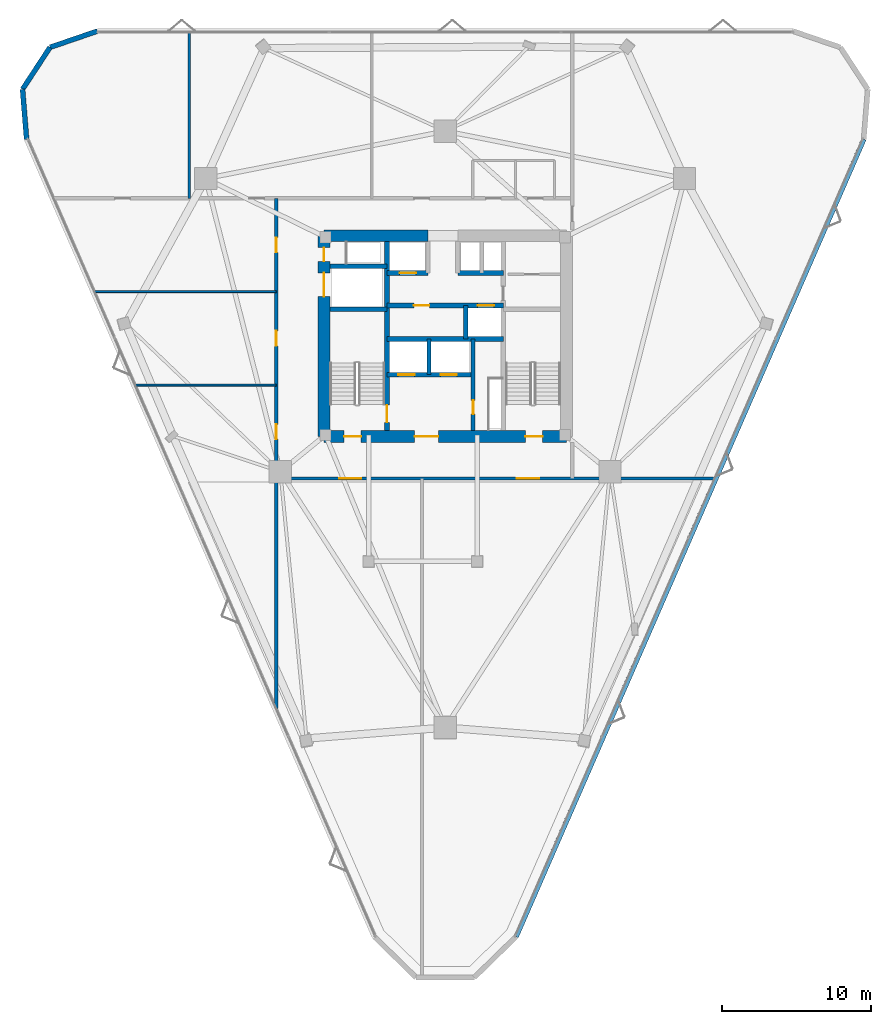
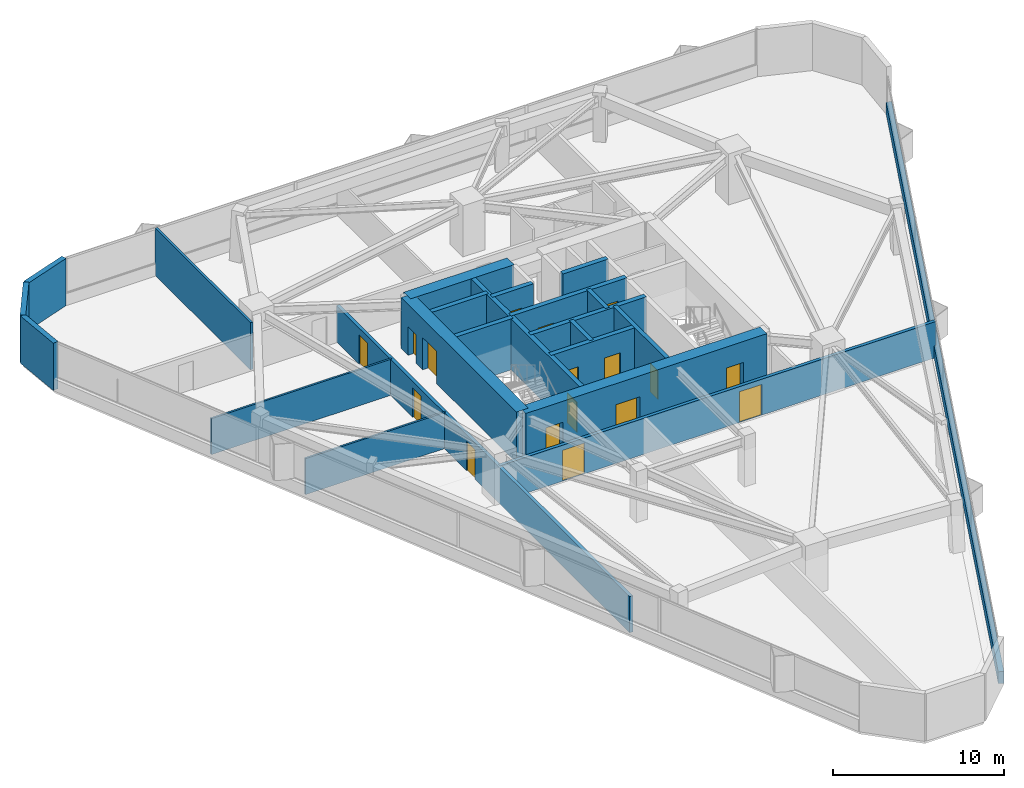
# One storey, part 10 of 13: 23 walls, 17 doors, 17 openings.
"""IFC4 building model written with IfcOpenShell, lengths in metres."""

from ifc_helpers import new_model, si_unit, direction, frame, frame_2d, origin, place, context, subcontext, project, spatial, rectangle, extrude, material, layer, layer_set, type_object, element, fill, save


model = new_model("IFC4")

# Units and contexts
model_context = context("Model", 3, precision=1e-05, world=origin(), true_north=direction((0.0, 1.0)))
body_context = subcontext(model_context, "Body", "Model", "MODEL_VIEW")
ifc_project = project(units=[si_unit("LENGTHUNIT", "METRE"), si_unit("AREAUNIT", "SQUARE_METRE"), si_unit("VOLUMEUNIT", "CUBIC_METRE"), si_unit("PLANEANGLEUNIT", "RADIAN"), si_unit("MASSUNIT", "GRAM", prefix="KILO")], contexts=[model_context])

# Site, building, storey
site_placement = place(None, origin())
site = spatial("IfcSite", under=ifc_project, at=site_placement, CompositionType="ELEMENT")
building_placement = place(site_placement, origin())
building = spatial("IfcBuilding", under=site, at=building_placement, Name="Talyreon Biosciences Tower", CompositionType="ELEMENT")
storey_placement = place(building_placement, frame((0.0, 0.0, 145.449951171875)))
storey = spatial("IfcBuildingStorey", under=building, at=storey_placement, Name="L38", CompositionType="ELEMENT", Elevation=145.449951171875)

# Wall
ifc_material_1 = material(Name="Concrete C50/60", Category="concrete")
ifc_layer_1 = layer(ifc_material_1, 0.280029296875)
ifc_layer_set_1 = layer_set([ifc_layer_1], Name="Concrete C50/60")
wall_type_1 = type_object("IfcWallType", Name="CoreShearWall_280", PredefinedType="SHEAR", material=ifc_layer_set_1)
wall_1_placement = place(storey_placement, frame((64.919921875, 65.39990234375, 0.0), z_axis=(0.0, 0.0, 1.0), x_axis=(0.0, 1.0, 0.0)))
element("IfcWall", 1, at=wall_1_placement, inside=storey, type_object=wall_type_1, Name="L38 Core Shaft Wall SWSHD1", PredefinedType="SHEAR", context=body_context, shape_type="SweptSolid", body=[
    extrude(rectangle(XDim=2.400146484375, YDim=0.280029296875, at=frame_2d((1.2001953125, 0.0))), origin(), (0.0, 0.0, 1.0), 3.650146484375),
])

# Wall, opening, door
wall_2_placement = place(storey_placement, frame((67.8798828125, 61.64990234375, 0.0), z_axis=(0.0, 0.0, 1.0), x_axis=(0.0, 1.0, 0.0)))
wall_2 = element("IfcWall", 2, at=wall_2_placement, inside=storey, type_object=wall_type_1, Name="L38 Core Shaft Wall SWFFE", PredefinedType="SHEAR", context=body_context, shape_type="SweptSolid", body=[
    extrude(rectangle(XDim=6.150146484375, YDim=0.280029296875, at=frame_2d((3.0751953125, 0.0))), origin(), (0.0, 0.0, 1.0), 3.650146484375),
])
opening_1_placement = place(wall_2_placement, frame((1.10009765625, 0.0, 0.0)))
opening_1 = element("IfcOpeningElement", 3, at=opening_1_placement, cuts=wall_2, Name="Opening DR-L38-RSE", PredefinedType="OPENING", context=body_context, shape_type="SweptSolid", body=[
    extrude(rectangle(XDim=0.919921875, YDim=2.050048828125, at=frame_2d((0.4599609375, 1.02490234375))), frame((0.0, 0.14990234375, 0.0), z_axis=(0.0, -1.0, 0.0), x_axis=(1.0, 0.0, 0.0)), (0.0, 0.0, 1.0), 0.300048828125),
])
ifc_material_2 = material(Name="Painted steel fire-rated riser door", Category="steel")
door_type_1 = type_object("IfcDoorType", Name="RiserPlantAccessDoor_920x2050", OperationType="NOTDEFINED", PredefinedType="DOOR", material=ifc_material_2)
door_1_placement = place(opening_1_placement, origin())
door_1 = element("IfcDoor", 4, at=door_1_placement, inside=storey, type_object=door_type_1, Name="L38 Core Door DR-L38-RSE", OperationType="SINGLE_SWING_RIGHT", OverallHeight=2.050048828125, OverallWidth=0.919921875, PredefinedType="DOOR", context=body_context, shape_type="SweptSolid", body=[
    extrude(rectangle(XDim=0.919921875, YDim=2.050048828125, at=frame_2d((0.4599609375, 1.02490234375))), frame((0.0, 0.02490234375, 0.0), z_axis=(0.0, -1.0, 0.0), x_axis=(1.0, 0.0, 0.0)), (0.0, 0.0, 1.0), 0.050048828125),
])
fill(opening_1, door_1)

# Wall
wall_3_placement = place(storey_placement, frame((67.3798828125, 67.800048828125, 0.0), z_axis=(0.0, 0.0, 1.0), x_axis=(0.0, 1.0, 0.0)))
element("IfcWall", 5, at=wall_3_placement, inside=storey, type_object=wall_type_1, Name="L38 Core Shaft Wall SWPMD", PredefinedType="SHEAR", context=body_context, shape_type="SweptSolid", body=[
    extrude(rectangle(XDim=2.25, YDim=0.280029296875, at=frame_2d((1.125, 0.0))), origin(), (0.0, 0.0, 1.0), 3.650146484375),
])

# Wall, opening, door
ifc_layer_2 = layer(ifc_material_1, 0.320068359375)
ifc_layer_set_2 = layer_set([ifc_layer_2], Name="Concrete C50/60")
wall_type_2 = type_object("IfcWallType", Name="CoreShearWall_320", PredefinedType="SHEAR", material=ifc_layer_set_2)
wall_4_placement = place(storey_placement, frame((62.090087890625, 61.64990234375, 0.0), z_axis=(0.0, 0.0, 1.0), x_axis=(0.0, 1.0, 0.0)))
wall_4 = element("IfcWall", 6, at=wall_4_placement, inside=storey, type_object=wall_type_2, Name="L38 Core Shaft Wall SW1E", PredefinedType="SHEAR", context=body_context, shape_type="SweptSolid", body=[
    extrude(rectangle(XDim=12.7001953125, YDim=0.320068359375, at=frame_2d((6.35009765625, 0.0))), origin(), (0.0, 0.0, 1.0), 3.650146484375),
])
opening_2_placement = place(wall_4_placement, frame((0.550048828125, 0.0, 0.0)))
opening_2 = element("IfcOpeningElement", 7, at=opening_2_placement, cuts=wall_4, Name="Opening DR-L38-FF-ST1", PredefinedType="OPENING", context=body_context, shape_type="SweptSolid", body=[
    extrude(rectangle(XDim=1.14990234375, YDim=2.14990234375, at=frame_2d((0.574951171875, 1.074951171875))), frame((0.0, 0.169921875, 0.0), z_axis=(0.0, -1.0, 0.0), x_axis=(1.0, 0.0, 0.0)), (0.0, 0.0, 1.0), 0.340087890625),
])
ifc_material_3 = material(Name="Painted steel fire door", Category="steel")
door_type_2 = type_object("IfcDoorType", Name="StairShaftFireDoor_1150x2150", OperationType="NOTDEFINED", PredefinedType="DOOR", material=ifc_material_3)
door_2_placement = place(opening_2_placement, origin())
door_2 = element("IfcDoor", 8, at=door_2_placement, inside=storey, type_object=door_type_2, Name="L38 Core Door DR-L38-FF-ST1", OperationType="SINGLE_SWING_LEFT", OverallHeight=2.14990234375, OverallWidth=1.14990234375, PredefinedType="DOOR", context=body_context, shape_type="SweptSolid", body=[
    extrude(rectangle(XDim=1.14990234375, YDim=2.14990234375, at=frame_2d((0.574951171875, 1.074951171875))), frame((0.0, 0.02490234375, 0.0), z_axis=(0.0, -1.0, 0.0), x_axis=(1.0, 0.0, 0.0)), (0.0, 0.0, 1.0), 0.050048828125),
])
fill(opening_2, door_2)

# Walls
for number, where, z_axis, x_axis, name in (
    (9, (58.25, 69.81005859375, 0.0), (0.0, 0.0, 1.0), (1.0, 0.0, 0.0), "L38 Core Shaft Wall SW1N"),
    (10, (58.25, 72.699951171875, 0.0), (0.0, 0.0, 1.0), (1.0, 0.0, 0.0), "L38 Core Shaft Wall SWGLN"),
):
    element("IfcWall", number, at=place(storey_placement, frame(where, z_axis=z_axis, x_axis=x_axis)), inside=storey, type_object=wall_type_2, Name=name, PredefinedType="SHEAR", context=body_context, shape_type="SweptSolid", body=[
        extrude(rectangle(XDim=3.840087890625, YDim=0.320068359375, at=frame_2d((1.919921875, 0.0))), origin(), (0.0, 0.0, 1.0), 3.650146484375),
    ])
wall_5_placement = place(storey_placement, frame((62.090087890625, 67.800048828125, 0.0), z_axis=(0.0, 0.0, 1.0), x_axis=(1.0, 0.0, 0.0)))
element("IfcWall", 11, at=wall_5_placement, inside=storey, type_object=wall_type_2, Name="L38 Core Shaft Wall SWSHM", PredefinedType="SHEAR", context=body_context, shape_type="SweptSolid", body=[
    extrude(rectangle(XDim=7.81982421875, YDim=0.320068359375, at=frame_2d((3.909912109375, 0.0))), origin(), (0.0, 0.0, 1.0), 3.650146484375),
])

# Wall, openings, doors
wall_6_placement = place(storey_placement, frame((62.090087890625, 70.050048828125, 0.0), z_axis=(0.0, 0.0, 1.0), x_axis=(1.0, 0.0, 0.0)))
wall_6 = element("IfcWall", 12, at=wall_6_placement, inside=storey, type_object=wall_type_2, Name="L38 Core Shaft Wall SWSPN", PredefinedType="SHEAR", context=body_context, shape_type="SweptSolid", body=[
    extrude(rectangle(XDim=7.81982421875, YDim=0.320068359375, at=frame_2d((3.909912109375, 0.0))), origin(), (0.0, 0.0, 1.0), 3.650146484375),
])
opening_3_placement = place(wall_6_placement, frame((1.800048828125, 0.0, 0.0)))
opening_3 = element("IfcOpeningElement", 13, at=opening_3_placement, cuts=wall_6, Name="Opening DR-L38-PLFREE-A", PredefinedType="OPENING", context=body_context, shape_type="SweptSolid", body=[
    extrude(rectangle(XDim=1.050048828125, YDim=2.14990234375, at=frame_2d((0.52490234375, 1.074951171875))), frame((0.0, 0.169921875, 0.0), z_axis=(0.0, -1.0, 0.0), x_axis=(1.0, 0.0, 0.0)), (0.0, 0.0, 1.0), 0.340087890625),
])
opening_4_placement = place(wall_6_placement, frame((6.10009765625, 0.0, 0.0)))
opening_4 = element("IfcOpeningElement", 14, at=opening_4_placement, cuts=wall_6, Name="Opening LD-L38-PM1", PredefinedType="OPENING", context=body_context, shape_type="SweptSolid", body=[
    extrude(rectangle(XDim=1.10009765625, YDim=2.199951171875, at=frame_2d((0.550048828125, 1.10009765625))), frame((0.0, 0.169921875, 0.0), z_axis=(0.0, -1.0, 0.0), x_axis=(1.0, 0.0, 0.0)), (0.0, 0.0, 1.0), 0.340087890625),
])
ifc_material_4 = material(Name="Acoustic timber-core laboratory door", Category="wood")
door_type_3 = type_object("IfcDoorType", Name="DryLabSingleDoor_1050x2150", OperationType="NOTDEFINED", PredefinedType="DOOR", material=ifc_material_4)
door_3_placement = place(opening_3_placement, origin())
door_3 = element("IfcDoor", 15, at=door_3_placement, inside=storey, type_object=door_type_3, Name="L38 Core Door DR-L38-PLFREE-A", OperationType="SINGLE_SWING_LEFT", OverallHeight=2.14990234375, OverallWidth=1.050048828125, PredefinedType="DOOR", context=body_context, shape_type="SweptSolid", body=[
    extrude(rectangle(XDim=1.050048828125, YDim=2.14990234375, at=frame_2d((0.52490234375, 1.074951171875))), frame((0.0, 0.02490234375, 0.0), z_axis=(0.0, -1.0, 0.0), x_axis=(1.0, 0.0, 0.0)), (0.0, 0.0, 1.0), 0.050048828125),
])
fill(opening_3, door_3)
ifc_material_5 = material(Name="Brushed stainless-steel lift landing door", Category="steel")
door_type_4 = type_object("IfcDoorType", Name="LiftSlidingLandingDoor_1100x2200", OperationType="SLIDING_TO_LEFT", PredefinedType="DOOR", material=ifc_material_5)
door_4_placement = place(opening_4_placement, origin())
door_4 = element("IfcDoor", 16, at=door_4_placement, inside=storey, type_object=door_type_4, Name="L38 Core Door LD-L38-PM1", OperationType="SLIDING_TO_LEFT", OverallHeight=2.199951171875, OverallWidth=1.10009765625, PredefinedType="DOOR", context=body_context, shape_type="SweptSolid", body=[
    extrude(rectangle(XDim=1.10009765625, YDim=2.199951171875, at=frame_2d((0.550048828125, 1.10009765625))), frame((0.0, 0.02490234375, 0.0), z_axis=(0.0, -1.0, 0.0), x_axis=(1.0, 0.0, 0.0)), (0.0, 0.0, 1.0), 0.050048828125),
])
fill(opening_4, door_4)

# Wall, opening, door
wall_7_placement = place(storey_placement, frame((62.090087890625, 72.25, 0.0), z_axis=(0.0, 0.0, 1.0), x_axis=(1.0, 0.0, 0.0)))
wall_7 = element("IfcWall", 17, at=wall_7_placement, inside=storey, type_object=wall_type_2, Name="L38 Core Shaft Wall SWNPW", PredefinedType="SHEAR", context=body_context, shape_type="SweptSolid", body=[
    extrude(rectangle(XDim=2.760009765625, YDim=0.320068359375, at=frame_2d((1.3798828125, 0.0))), origin(), (0.0, 0.0, 1.0), 3.650146484375),
])
opening_5_placement = place(wall_7_placement, frame((0.85009765625, 0.0, 0.0)))
opening_5 = element("IfcOpeningElement", 18, at=opening_5_placement, cuts=wall_7, Name="Opening LD-L38-PM2", PredefinedType="OPENING", context=body_context, shape_type="SweptSolid", body=[
    extrude(rectangle(XDim=1.10009765625, YDim=2.199951171875, at=frame_2d((0.550048828125, 1.10009765625))), frame((0.0, 0.169921875, 0.0), z_axis=(0.0, -1.0, 0.0), x_axis=(1.0, 0.0, 0.0)), (0.0, 0.0, 1.0), 0.340087890625),
])
door_5_placement = place(opening_5_placement, origin())
door_5 = element("IfcDoor", 19, at=door_5_placement, inside=storey, type_object=door_type_4, Name="L38 Core Door LD-L38-PM2", OperationType="SLIDING_TO_LEFT", OverallHeight=2.199951171875, OverallWidth=1.10009765625, PredefinedType="DOOR", context=body_context, shape_type="SweptSolid", body=[
    extrude(rectangle(XDim=1.10009765625, YDim=2.199951171875, at=frame_2d((0.550048828125, 1.10009765625))), frame((0.0, 0.02490234375, 0.0), z_axis=(0.0, -1.0, 0.0), x_axis=(1.0, 0.0, 0.0)), (0.0, 0.0, 1.0), 0.050048828125),
])
fill(opening_5, door_5)

# Wall
wall_8_placement = place(storey_placement, frame((66.85009765625, 72.25, 0.0), z_axis=(0.0, 0.0, 1.0), x_axis=(1.0, 0.0, 0.0)))
element("IfcWall", 20, at=wall_8_placement, inside=storey, type_object=wall_type_2, Name="L38 Core Shaft Wall SWNPE", PredefinedType="SHEAR", context=body_context, shape_type="SweptSolid", body=[
    extrude(rectangle(XDim=3.059814453125, YDim=0.320068359375, at=frame_2d((1.52978515625, 0.0))), origin(), (0.0, 0.0, 1.0), 3.650146484375),
])

# Wall, openings, doors
wall_9_placement = place(storey_placement, frame((62.090087890625, 65.39990234375, 0.0), z_axis=(0.0, 0.0, 1.0), x_axis=(1.0, 0.0, 0.0)))
wall_9 = element("IfcWall", 21, at=wall_9_placement, inside=storey, type_object=wall_type_2, Name="L38 Core Shaft Wall SWFFN", PredefinedType="SHEAR", context=body_context, shape_type="SweptSolid", body=[
    extrude(rectangle(XDim=5.789794921875, YDim=0.320068359375, at=frame_2d((2.89501953125, 0.0))), origin(), (0.0, 0.0, 1.0), 3.650146484375),
])
opening_6_placement = place(wall_9_placement, frame((0.75, 0.0, 0.0)))
opening_6 = element("IfcOpeningElement", 22, at=opening_6_placement, cuts=wall_9, Name="Opening LD-L38-FL1", PredefinedType="OPENING", context=body_context, shape_type="SweptSolid", body=[
    extrude(rectangle(XDim=1.10009765625, YDim=2.199951171875, at=frame_2d((0.550048828125, 1.10009765625))), frame((0.0, 0.169921875, 0.0), z_axis=(0.0, -1.0, 0.0), x_axis=(1.0, 0.0, 0.0)), (0.0, 0.0, 1.0), 0.340087890625),
])
opening_7_placement = place(wall_9_placement, frame((3.60009765625, 0.0, 0.0)))
opening_7 = element("IfcOpeningElement", 23, at=opening_7_placement, cuts=wall_9, Name="Opening LD-L38-FL2", PredefinedType="OPENING", context=body_context, shape_type="SweptSolid", body=[
    extrude(rectangle(XDim=1.10009765625, YDim=2.199951171875, at=frame_2d((0.550048828125, 1.10009765625))), frame((0.0, 0.169921875, 0.0), z_axis=(0.0, -1.0, 0.0), x_axis=(1.0, 0.0, 0.0)), (0.0, 0.0, 1.0), 0.340087890625),
])
door_6_placement = place(opening_6_placement, origin())
door_6 = element("IfcDoor", 24, at=door_6_placement, inside=storey, type_object=door_type_4, Name="L38 Core Door LD-L38-FL1", OperationType="SLIDING_TO_LEFT", OverallHeight=2.199951171875, OverallWidth=1.10009765625, PredefinedType="DOOR", context=body_context, shape_type="SweptSolid", body=[
    extrude(rectangle(XDim=1.10009765625, YDim=2.199951171875, at=frame_2d((0.550048828125, 1.10009765625))), frame((0.0, 0.02490234375, 0.0), z_axis=(0.0, -1.0, 0.0), x_axis=(1.0, 0.0, 0.0)), (0.0, 0.0, 1.0), 0.050048828125),
])
fill(opening_6, door_6)
door_7_placement = place(opening_7_placement, origin())
door_7 = element("IfcDoor", 25, at=door_7_placement, inside=storey, type_object=door_type_4, Name="L38 Core Door LD-L38-FL2", OperationType="SLIDING_TO_LEFT", OverallHeight=2.199951171875, OverallWidth=1.10009765625, PredefinedType="DOOR", context=body_context, shape_type="SweptSolid", body=[
    extrude(rectangle(XDim=1.10009765625, YDim=2.199951171875, at=frame_2d((0.550048828125, 1.10009765625))), frame((0.0, 0.02490234375, 0.0), z_axis=(0.0, -1.0, 0.0), x_axis=(1.0, 0.0, 0.0)), (0.0, 0.0, 1.0), 0.050048828125),
])
fill(opening_7, door_7)

ifc_material_6 = material(Name="Concrete C60/75", Category="concrete")
ifc_layer_3 = layer(ifc_material_6, 0.800048828125)
ifc_layer_set_3 = layer_set([ifc_layer_3], Name="Concrete C60/75")
wall_type_3 = type_object("IfcWallType", Name="CoreShearWall_800", PredefinedType="SHEAR", material=ifc_layer_set_3)
wall_10_placement = place(storey_placement, frame((57.85009765625, 61.25, 0.0), z_axis=(0.0, 0.0, 1.0), x_axis=(1.0, 0.0, 0.0)))
wall_10 = element("IfcWall", 26, at=wall_10_placement, inside=storey, type_object=wall_type_3, Name="L38 Core Shear Wall S", PredefinedType="SHEAR", context=body_context, shape_type="SweptSolid", body=[
    extrude(rectangle(XDim=16.2998046875, YDim=0.800048828125, at=frame_2d((8.14990234375, 0.0))), origin(), (0.0, 0.0, 1.0), 3.650146484375),
])
opening_8_placement = place(wall_10_placement, frame((1.35009765625, 0.0, 0.0)))
opening_8 = element("IfcOpeningElement", 27, at=opening_8_placement, cuts=wall_10, Name="Opening DR-L38-ST1", PredefinedType="OPENING", context=body_context, shape_type="SweptSolid", body=[
    extrude(rectangle(XDim=1.14990234375, YDim=2.14990234375, at=frame_2d((0.574951171875, 1.074951171875))), frame((0.0, 0.409912109375, 0.0), z_axis=(0.0, -1.0, 0.0), x_axis=(1.0, 0.0, 0.0)), (0.0, 0.0, 1.0), 0.820068359375),
])
opening_9_placement = place(wall_10_placement, frame((6.10009765625, 0.0, 0.0)))
opening_9 = element("IfcOpeningElement", 28, at=opening_9_placement, cuts=wall_10, Name="Opening DR-L38-FFL", PredefinedType="OPENING", context=body_context, shape_type="SweptSolid", body=[
    extrude(rectangle(XDim=1.60009765625, YDim=2.14990234375, at=frame_2d((0.800048828125, 1.074951171875))), frame((0.0, 0.409912109375, 0.0), z_axis=(0.0, -1.0, 0.0), x_axis=(1.0, 0.0, 0.0)), (0.0, 0.0, 1.0), 0.820068359375),
])
opening_10_placement = place(wall_10_placement, frame((13.550048828125, 0.0, 0.0)))
opening_10 = element("IfcOpeningElement", 29, at=opening_10_placement, cuts=wall_10, Name="Opening DR-L38-ST2", PredefinedType="OPENING", context=body_context, shape_type="SweptSolid", body=[
    extrude(rectangle(XDim=1.14990234375, YDim=2.14990234375, at=frame_2d((0.574951171875, 1.074951171875))), frame((0.0, 0.409912109375, 0.0), z_axis=(0.0, -1.0, 0.0), x_axis=(1.0, 0.0, 0.0)), (0.0, 0.0, 1.0), 0.820068359375),
])
ifc_material_7 = material(Name="Painted steel smoke-seal fire door", Category="steel")
door_type_5 = type_object("IfcDoorType", Name="FirefightingLobbyDoubleDoor_1600x2150", OperationType="DOUBLE_DOOR_SINGLE_SWING", PredefinedType="DOOR", material=ifc_material_7)
door_8_placement = place(opening_9_placement, origin())
door_8 = element("IfcDoor", 30, at=door_8_placement, inside=storey, type_object=door_type_5, Name="L38 Core Door DR-L38-FFL", OperationType="DOUBLE_DOOR_SINGLE_SWING", OverallHeight=2.14990234375, OverallWidth=1.60009765625, PredefinedType="DOOR", context=body_context, shape_type="SweptSolid", body=[
    extrude(rectangle(XDim=1.60009765625, YDim=2.14990234375, at=frame_2d((0.800048828125, 1.074951171875))), frame((0.0, 0.02490234375, 0.0), z_axis=(0.0, -1.0, 0.0), x_axis=(1.0, 0.0, 0.0)), (0.0, 0.0, 1.0), 0.050048828125),
])
fill(opening_9, door_8)
door_9_placement = place(opening_8_placement, origin())
door_9 = element("IfcDoor", 31, at=door_9_placement, inside=storey, type_object=door_type_2, Name="L38 Core Door DR-L38-ST1", OperationType="SINGLE_SWING_LEFT", OverallHeight=2.14990234375, OverallWidth=1.14990234375, PredefinedType="DOOR", context=body_context, shape_type="SweptSolid", body=[
    extrude(rectangle(XDim=1.14990234375, YDim=2.14990234375, at=frame_2d((0.574951171875, 1.074951171875))), frame((0.0, 0.02490234375, 0.0), z_axis=(0.0, -1.0, 0.0), x_axis=(1.0, 0.0, 0.0)), (0.0, 0.0, 1.0), 0.050048828125),
])
fill(opening_8, door_9)
door_10_placement = place(opening_10_placement, origin())
door_10 = element("IfcDoor", 32, at=door_10_placement, inside=storey, type_object=door_type_2, Name="L38 Core Door DR-L38-ST2", OperationType="SINGLE_SWING_RIGHT", OverallHeight=2.14990234375, OverallWidth=1.14990234375, PredefinedType="DOOR", context=body_context, shape_type="SweptSolid", body=[
    extrude(rectangle(XDim=1.14990234375, YDim=2.14990234375, at=frame_2d((0.574951171875, 1.074951171875))), frame((0.0, 0.02490234375, 0.0), z_axis=(0.0, -1.0, 0.0), x_axis=(1.0, 0.0, 0.0)), (0.0, 0.0, 1.0), 0.050048828125),
])
fill(opening_10, door_10)

# Wall
wall_11_placement = place(storey_placement, frame((64.85009765625, 74.75, 0.0), z_axis=(0.0, 0.0, 1.0), x_axis=(-1.0, 0.0, 0.0)))
element("IfcWall", 33, at=wall_11_placement, inside=storey, type_object=wall_type_3, Name="L38 Core Shear Wall NW", PredefinedType="SHEAR", context=body_context, shape_type="SweptSolid", body=[
    extrude(rectangle(XDim=7.0, YDim=0.800048828125, at=frame_2d((3.5, 0.0))), origin(), (0.0, 0.0, 1.0), 3.650146484375),
])

# Wall, openings, doors
wall_12_placement = place(storey_placement, frame((57.85009765625, 74.75, 0.0), z_axis=(0.0, 0.0, 1.0), x_axis=(0.0, -1.0, 0.0)))
wall_12 = element("IfcWall", 34, at=wall_12_placement, inside=storey, type_object=wall_type_3, Name="L38 Core Shear Wall W", PredefinedType="SHEAR", context=body_context, shape_type="SweptSolid", body=[
    extrude(rectangle(XDim=13.5, YDim=0.800048828125, at=frame_2d((6.75, 0.0))), origin(), (0.0, 0.0, 1.0), 3.650146484375),
])
opening_11_placement = place(wall_12_placement, frame((0.800048828125, 0.0, 0.0)))
opening_11 = element("IfcOpeningElement", 35, at=opening_11_placement, cuts=wall_12, Name="Opening DR-L38-RSW", PredefinedType="OPENING", context=body_context, shape_type="SweptSolid", body=[
    extrude(rectangle(XDim=0.919921875, YDim=2.050048828125, at=frame_2d((0.4599609375, 1.02490234375))), frame((0.0, 0.409912109375, 0.0), z_axis=(0.0, -1.0, 0.0), x_axis=(1.0, 0.0, 0.0)), (0.0, 0.0, 1.0), 0.820068359375),
])
opening_12_placement = place(wall_12_placement, frame((2.5, 0.0, 0.0)))
opening_12 = element("IfcOpeningElement", 36, at=opening_12_placement, cuts=wall_12, Name="Opening LD-L38-GL1", PredefinedType="OPENING", context=body_context, shape_type="SweptSolid", body=[
    extrude(rectangle(XDim=1.60009765625, YDim=2.300048828125, at=frame_2d((0.800048828125, 1.14990234375))), frame((0.0, 0.409912109375, 0.0), z_axis=(0.0, -1.0, 0.0), x_axis=(1.0, 0.0, 0.0)), (0.0, 0.0, 1.0), 0.820068359375),
])
ifc_material_8 = material(Name="Heavy-duty stainless-steel goods lift door", Category="steel")
door_type_6 = type_object("IfcDoorType", Name="GoodsLiftSlidingDoor_1600x2300", OperationType="DOUBLE_DOOR_SLIDING", PredefinedType="DOOR", material=ifc_material_8)
door_11_placement = place(opening_12_placement, origin())
door_11 = element("IfcDoor", 37, at=door_11_placement, inside=storey, type_object=door_type_6, Name="L38 Core Door LD-L38-GL1", OperationType="DOUBLE_DOOR_SLIDING", OverallHeight=2.300048828125, OverallWidth=1.60009765625, PredefinedType="DOOR", context=body_context, shape_type="SweptSolid", body=[
    extrude(rectangle(XDim=1.60009765625, YDim=2.300048828125, at=frame_2d((0.800048828125, 1.14990234375))), frame((0.0, 0.02490234375, 0.0), z_axis=(0.0, -1.0, 0.0), x_axis=(1.0, 0.0, 0.0)), (0.0, 0.0, 1.0), 0.050048828125),
])
fill(opening_12, door_11)
door_12_placement = place(opening_11_placement, origin())
door_12 = element("IfcDoor", 38, at=door_12_placement, inside=storey, type_object=door_type_1, Name="L38 Core Door DR-L38-RSW", OperationType="SINGLE_SWING_LEFT", OverallHeight=2.050048828125, OverallWidth=0.919921875, PredefinedType="DOOR", context=body_context, shape_type="SweptSolid", body=[
    extrude(rectangle(XDim=0.919921875, YDim=2.050048828125, at=frame_2d((0.4599609375, 1.02490234375))), frame((0.0, 0.02490234375, 0.0), z_axis=(0.0, -1.0, 0.0), x_axis=(1.0, 0.0, 0.0)), (0.0, 0.0, 1.0), 0.050048828125),
])
fill(opening_11, door_12)

ifc_material_9 = material(Name="Gypsum fireboard acoustic stud", Category="gypsum")
ifc_layer_4 = layer(ifc_material_9, 0.219970703125)
ifc_layer_set_4 = layer_set([ifc_layer_4], Name="Gypsum fireboard acoustic stud")
wall_type_4 = type_object("IfcWallType", Name="CorridorRatedPartition_220", PredefinedType="PARTITIONING", material=ifc_layer_set_4)
wall_13_placement = place(storey_placement, frame((54.6298828125, 58.419921875, 0.0), z_axis=(0.0, 0.0, 1.0), x_axis=(1.0, 0.0, 0.0)))
wall_13 = element("IfcWall", 39, at=wall_13_placement, inside=storey, type_object=wall_type_4, Name="L38 Interior Wall IW-L38-COR-S", PredefinedType="PARTITIONING", context=body_context, shape_type="SweptSolid", body=[
    extrude(rectangle(XDim=29.4853515625, YDim=0.219970703125, at=frame_2d((14.74267578125, 0.0))), origin(), (0.0, 0.0, 1.0), 2.574951171875),
])
opening_13_placement = place(wall_13_placement, frame((4.22900390625, 0.0, 0.0)))
opening_13 = element("IfcOpeningElement", 40, at=opening_13_placement, cuts=wall_13, Name="Opening DR-L38-S1A", PredefinedType="OPENING", context=body_context, shape_type="SweptSolid", body=[
    extrude(rectangle(XDim=1.5, YDim=2.199951171875, at=frame_2d((0.75, 1.10009765625))), frame((0.0, 0.119873046875, 0.0), z_axis=(0.0, -1.0, 0.0), x_axis=(1.0, 0.0, 0.0)), (0.0, 0.0, 1.0), 0.239990234375),
])
opening_14_placement = place(wall_13_placement, frame((16.198974609375, 0.0, 0.0)))
opening_14 = element("IfcOpeningElement", 41, at=opening_14_placement, cuts=wall_13, Name="Opening DR-L38-S2A", PredefinedType="OPENING", context=body_context, shape_type="SweptSolid", body=[
    extrude(rectangle(XDim=1.5, YDim=2.199951171875, at=frame_2d((0.75, 1.10009765625))), frame((0.0, 0.119873046875, 0.0), z_axis=(0.0, -1.0, 0.0), x_axis=(1.0, 0.0, 0.0)), (0.0, 0.0, 1.0), 0.239990234375),
])
ifc_material_10 = material(Name="Vision-panel steel laboratory fire door", Category="steel")
door_type_7 = type_object("IfcDoorType", Name="WetLabDoubleLeafDoor_1500x2200", OperationType="DOUBLE_DOOR_SINGLE_SWING", PredefinedType="DOOR", material=ifc_material_10)
door_13_placement = place(opening_13_placement, origin())
door_13 = element("IfcDoor", 42, at=door_13_placement, inside=storey, type_object=door_type_7, Name="L38 Interior Door DR-L38-S1A", OperationType="DOUBLE_DOOR_SINGLE_SWING", OverallHeight=2.199951171875, OverallWidth=1.5, PredefinedType="DOOR", context=body_context, shape_type="SweptSolid", body=[
    extrude(rectangle(XDim=1.5, YDim=2.199951171875, at=frame_2d((0.75, 1.10009765625))), frame((0.0, 0.02490234375, 0.0), z_axis=(0.0, -1.0, 0.0), x_axis=(1.0, 0.0, 0.0)), (0.0, 0.0, 1.0), 0.050048828125),
])
fill(opening_13, door_13)
door_14_placement = place(opening_14_placement, origin())
door_14 = element("IfcDoor", 43, at=door_14_placement, inside=storey, type_object=door_type_7, Name="L38 Interior Door DR-L38-S2A", OperationType="DOUBLE_DOOR_SINGLE_SWING", OverallHeight=2.199951171875, OverallWidth=1.5, PredefinedType="DOOR", context=body_context, shape_type="SweptSolid", body=[
    extrude(rectangle(XDim=1.5, YDim=2.199951171875, at=frame_2d((0.75, 1.10009765625))), frame((0.0, 0.02490234375, 0.0), z_axis=(0.0, -1.0, 0.0), x_axis=(1.0, 0.0, 0.0)), (0.0, 0.0, 1.0), 0.050048828125),
])
fill(opening_14, door_14)

wall_14_placement = place(storey_placement, frame((54.6298828125, 42.95068359375, 0.0), z_axis=(0.0, 0.0, 1.0), x_axis=(0.0, 1.0, 0.0)))
wall_14 = element("IfcWall", 44, at=wall_14_placement, inside=storey, type_object=wall_type_4, Name="L38 Interior Wall IW-L38-COR-W", PredefinedType="PARTITIONING", context=body_context, shape_type="SweptSolid", body=[
    extrude(rectangle(XDim=34.3193359375, YDim=0.219970703125, at=frame_2d((17.15966796875, 0.0))), origin(), (0.0, 0.0, 1.0), 2.574951171875),
])
opening_15_placement = place(wall_14_placement, frame((18.111083984375, 0.0, 0.0)))
opening_15 = element("IfcOpeningElement", 45, at=opening_15_placement, cuts=wall_14, Name="Opening DR-L38-W1A", PredefinedType="OPENING", context=body_context, shape_type="SweptSolid", body=[
    extrude(rectangle(XDim=1.0, YDim=2.10009765625, at=frame_2d((0.5, 1.050048828125))), frame((0.0, 0.119873046875, 0.0), z_axis=(0.0, -1.0, 0.0), x_axis=(1.0, 0.0, 0.0)), (0.0, 0.0, 1.0), 0.239990234375),
])
opening_16_placement = place(wall_14_placement, frame((24.39404296875, 0.0, 0.0)))
opening_16 = element("IfcOpeningElement", 46, at=opening_16_placement, cuts=wall_14, Name="Opening DR-L38-W2A", PredefinedType="OPENING", context=body_context, shape_type="SweptSolid", body=[
    extrude(rectangle(XDim=1.0, YDim=2.10009765625, at=frame_2d((0.5, 1.050048828125))), frame((0.0, 0.119873046875, 0.0), z_axis=(0.0, -1.0, 0.0), x_axis=(1.0, 0.0, 0.0)), (0.0, 0.0, 1.0), 0.239990234375),
])
opening_17_placement = place(wall_14_placement, frame((30.677978515625, 0.0, 0.0)))
opening_17 = element("IfcOpeningElement", 47, at=opening_17_placement, cuts=wall_14, Name="Opening DR-L38-W3A", PredefinedType="OPENING", context=body_context, shape_type="SweptSolid", body=[
    extrude(rectangle(XDim=1.0, YDim=2.10009765625, at=frame_2d((0.5, 1.050048828125))), frame((0.0, 0.119873046875, 0.0), z_axis=(0.0, -1.0, 0.0), x_axis=(1.0, 0.0, 0.0)), (0.0, 0.0, 1.0), 0.239990234375),
])
ifc_material_11 = material(Name="Acoustic oak veneer office door", Category="wood")
door_type_8 = type_object("IfcDoorType", Name="WriteupOfficeDoor_1000x2100", OperationType="NOTDEFINED", PredefinedType="DOOR", material=ifc_material_11)
door_15_placement = place(opening_15_placement, origin())
door_15 = element("IfcDoor", 48, at=door_15_placement, inside=storey, type_object=door_type_8, Name="L38 Interior Door DR-L38-W1A", OperationType="SINGLE_SWING_LEFT", OverallHeight=2.10009765625, OverallWidth=1.0, PredefinedType="DOOR", context=body_context, shape_type="SweptSolid", body=[
    extrude(rectangle(XDim=1.0, YDim=2.10009765625, at=frame_2d((0.5, 1.050048828125))), frame((0.0, 0.02490234375, 0.0), z_axis=(0.0, -1.0, 0.0), x_axis=(1.0, 0.0, 0.0)), (0.0, 0.0, 1.0), 0.050048828125),
])
fill(opening_15, door_15)
door_16_placement = place(opening_16_placement, origin())
door_16 = element("IfcDoor", 49, at=door_16_placement, inside=storey, type_object=door_type_8, Name="L38 Interior Door DR-L38-W2A", OperationType="SINGLE_SWING_LEFT", OverallHeight=2.10009765625, OverallWidth=1.0, PredefinedType="DOOR", context=body_context, shape_type="SweptSolid", body=[
    extrude(rectangle(XDim=1.0, YDim=2.10009765625, at=frame_2d((0.5, 1.050048828125))), frame((0.0, 0.02490234375, 0.0), z_axis=(0.0, -1.0, 0.0), x_axis=(1.0, 0.0, 0.0)), (0.0, 0.0, 1.0), 0.050048828125),
])
fill(opening_16, door_16)
door_17_placement = place(opening_17_placement, origin())
door_17 = element("IfcDoor", 50, at=door_17_placement, inside=storey, type_object=door_type_8, Name="L38 Interior Door DR-L38-W3A", OperationType="SINGLE_SWING_LEFT", OverallHeight=2.10009765625, OverallWidth=1.0, PredefinedType="DOOR", context=body_context, shape_type="SweptSolid", body=[
    extrude(rectangle(XDim=1.0, YDim=2.10009765625, at=frame_2d((0.5, 1.050048828125))), frame((0.0, 0.02490234375, 0.0), z_axis=(0.0, -1.0, 0.0), x_axis=(1.0, 0.0, 0.0)), (0.0, 0.0, 1.0), 0.050048828125),
])
fill(opening_17, door_17)

# Walls
ifc_material_12 = material(Name="Gypsum acoustic stud partition", Category="gypsum")
ifc_layer_5 = layer(ifc_material_12, 0.159912109375)
ifc_layer_set_5 = layer_set([ifc_layer_5], Name="Gypsum acoustic stud partition")
wall_type_5 = type_object("IfcWallType", Name="LabSeparationPartition_160", PredefinedType="PARTITIONING", material=ifc_layer_set_5)
wall_15_placement = place(storey_placement, frame((48.791015625, 77.27001953125, 0.0), z_axis=(0.0, 0.0, 1.0), x_axis=(0.0, 1.0, 0.0)))
element("IfcWall", 51, at=wall_15_placement, inside=storey, type_object=wall_type_5, Name="L38 Interior Wall IW-L38-NDIV1", PredefinedType="PARTITIONING", context=body_context, shape_type="SweptSolid", body=[
    extrude(rectangle(XDim=11.164306640625, YDim=0.159912109375, at=frame_2d((5.58203125, 0.0))), origin(), (0.0, 0.0, 1.0), 3.375),
])
ifc_layer_6 = layer(ifc_material_12, 0.1298828125)
ifc_layer_set_6 = layer_set([ifc_layer_6], Name="Gypsum acoustic stud partition")
wall_type_6 = type_object("IfcWallType", Name="OfficeWriteupPartition_130", PredefinedType="PARTITIONING", material=ifc_layer_set_6)
wall_16_placement = place(storey_placement, frame((45.14501953125, 64.702880859375, 0.0), z_axis=(0.0, 0.0, 1.0), x_axis=(1.0, 0.0, 0.0)))
element("IfcWall", 52, at=wall_16_placement, inside=storey, type_object=wall_type_6, Name="L38 Interior Wall IW-L38-WDIV1", PredefinedType="PARTITIONING", context=body_context, shape_type="SweptSolid", body=[
    extrude(rectangle(XDim=9.48486328125, YDim=0.1298828125, at=frame_2d((4.742431640625, 0.0))), origin(), (0.0, 0.0, 1.0), 2.574951171875),
])
wall_17_placement = place(storey_placement, frame((42.405029296875, 70.987060546875, 0.0), z_axis=(0.0, 0.0, 1.0), x_axis=(1.0, 0.0, 0.0)))
element("IfcWall", 53, at=wall_17_placement, inside=storey, type_object=wall_type_6, Name="L38 Interior Wall IW-L38-WDIV2", PredefinedType="PARTITIONING", context=body_context, shape_type="SweptSolid", body=[
    extrude(rectangle(XDim=12.224853515625, YDim=0.1298828125, at=frame_2d((6.1123046875, 0.0))), origin(), (0.0, 0.0, 1.0), 2.574951171875),
])
ifc_material_13 = material(Name="Precast concrete C45/55", Category="concrete")
ifc_layer_7 = layer(ifc_material_13, 0.340087890625)
ifc_layer_set_7 = layer_set([ifc_layer_7], Name="Precast concrete C45/55")
wall_type_7 = type_object("IfcWallType", Name="PrecastConcreteSpandrelWall_340", PredefinedType="STANDARD", material=ifc_layer_set_7)
for number, where, z_axis, x_axis, name in (
    (54, (37.841064453125, 81.240966796875, 0.0), (0.0, 0.0, 1.0), (-0.080769230079, 0.996732828532, 0.0), "L38 Rounded-Corner Concrete Pier 01"),
    (55, (37.568603515625, 84.603271484375, 0.0), (0.0, 0.0, 1.0), (0.547867350875, 0.836565219123, 0.0), "L38 Rounded-Corner Concrete Pier 02"),
    (56, (39.416748046875, 87.42529296875, 0.0), (0.0, 0.0, 1.0), (0.94594911795, 0.324315072497, 0.0), "L38 Rounded-Corner Concrete Pier 03"),
):
    element("IfcWall", number, at=place(storey_placement, frame(where, z_axis=z_axis, x_axis=x_axis)), inside=storey, type_object=wall_type_7, Name=name, PredefinedType="STANDARD", context=body_context, shape_type="SweptSolid", body=[
        extrude(rectangle(XDim=3.373291015625, YDim=0.340087890625, at=frame_2d((1.6865234375, 0.0))), origin(), (0.0, 0.0, 1.0), 3.375),
    ])
wall_18_placement = place(storey_placement, frame((94.158935546875, 81.240966796875, 0.0), z_axis=(0.0, 0.0, 1.0), x_axis=(-0.399698312425, -0.916646747141, 0.0)))
element("IfcWall", 57, at=wall_18_placement, inside=storey, type_object=wall_type_7, Name="L38 Expressed Concrete Sill Wall 08", PredefinedType="STANDARD", context=body_context, shape_type="SweptSolid", body=[
    extrude(rectangle(XDim=58.52490234375, YDim=0.340087890625, at=frame_2d((29.262451171875, 0.0))), origin(), (0.0, 0.0, 1.0), 0.85009765625),
])

save(model, "model.ifc")
